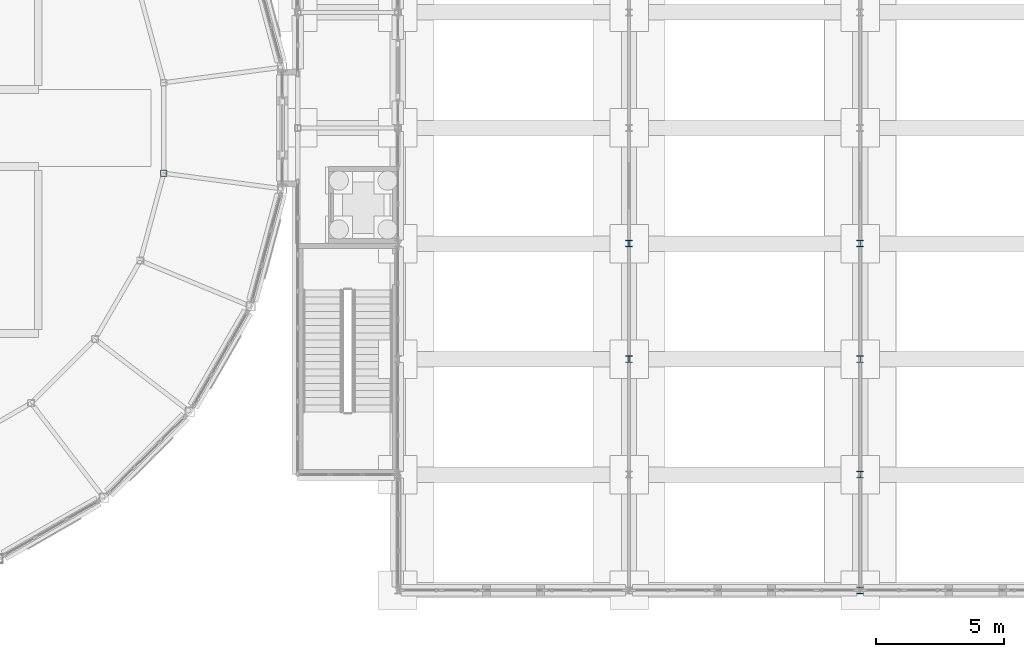
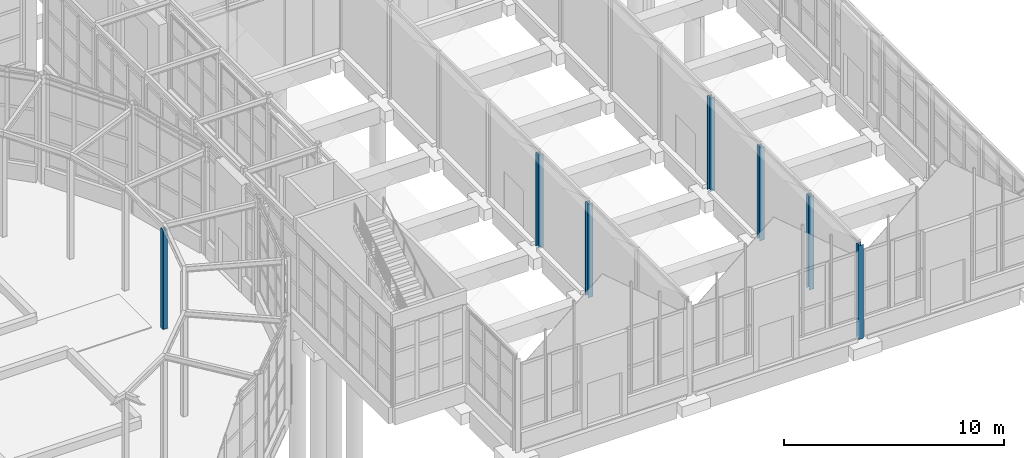
# One storey, part 16 of 106: 7 columns.
"""IFC4 building model written with IfcOpenShell, lengths in metres."""

from ifc_helpers import new_model, si_unit, direction, frame, origin, origin_2d, place, context, subcontext, project, spatial, hollow_rectangle, i_section, extrude, material, material_profile, profile_set, type_object, element, save


model = new_model("IFC4")

# Units and contexts
model_context = context("Model", 3, precision=1e-05, world=origin(), true_north=direction((0.0, 1.0)))
body_context = subcontext(model_context, "Body", "Model", "MODEL_VIEW")
ifc_project = project(units=[si_unit("LENGTHUNIT", "METRE"), si_unit("AREAUNIT", "SQUARE_METRE"), si_unit("VOLUMEUNIT", "CUBIC_METRE"), si_unit("PLANEANGLEUNIT", "RADIAN"), si_unit("MASSUNIT", "GRAM", prefix="KILO")], contexts=[model_context])

# Site, building, storey
site_placement = place(None, origin())
site = spatial("IfcSite", under=ifc_project, at=site_placement, CompositionType="ELEMENT")
building_placement = place(site_placement, origin())
building = spatial("IfcBuilding", under=site, at=building_placement, Name="Hortulan Conservatory and Botanical Research Centre", CompositionType="ELEMENT")
storey_placement = place(building_placement, origin())
storey = spatial("IfcBuildingStorey", under=building, at=storey_placement, Name="L00", CompositionType="ELEMENT", Elevation=0.0)

# Columns
ifc_material_1 = material(Name="Steel Grade 300PLUS (AS/NZS 3679.1, 280 MPa minimum yield)", Category="steel")
ifc_material_profile_1 = material_profile(ifc_material_1, i_section(OverallWidth=0.25390625, OverallDepth=0.25390625, WebThickness=0.008544921875, FlangeThickness=0.01416015625, FilletRadius=0.013916015625, at=origin_2d()), Name="250UC72.9")
ifc_profile_set_1 = profile_set([ifc_material_profile_1], Name="Steel Grade 300PLUS (AS/NZS 3679.1, 280 MPa minimum yield)")
column_type_1 = type_object("IfcColumnType", Name="Climate House Column 250UC72.9", PredefinedType="COLUMN", material=ifc_profile_set_1)
for number, where, z_axis, x_axis, name in (
    (1, (85.5, 9.0, -0.199951171875), (0.0, 0.0, 1.0), (1.0, 0.0, 0.0), "Climate house column F2-3"),
    (2, (85.5, 13.5, -0.199951171875), (0.0, 0.0, 1.0), (1.0, 0.0, 0.0), "Climate house column F2-4"),
    (3, (94.5, 0.0, -0.199951171875), (0.0, 0.0, 1.0), (1.0, 0.0, 0.0), "Climate house column F3-1"),
    (4, (94.5, 4.5, -0.199951171875), (0.0, 0.0, 1.0), (1.0, 0.0, 0.0), "Climate house column F3-2"),
    (5, (94.5, 9.0, -0.199951171875), (0.0, 0.0, 1.0), (1.0, 0.0, 0.0), "Climate house column F3-3"),
    (6, (94.5, 13.5, -0.199951171875), (0.0, 0.0, 1.0), (1.0, 0.0, 0.0), "Climate house column F3-4"),
):
    element("IfcColumn", number, at=place(storey_placement, frame(where, z_axis=z_axis, x_axis=x_axis)), inside=storey, type_object=column_type_1, Name=name, PredefinedType="COLUMN", context=body_context, shape_type="SweptSolid", body=[
        extrude(i_section(OverallWidth=0.25390625, OverallDepth=0.25390625, WebThickness=0.008544921875, FlangeThickness=0.01416015625, FilletRadius=0.013916015625, at=origin_2d()), origin(), (0.0, 0.0, 1.0), 5.199951171875),
    ])
ifc_material_2 = material(Name="Steel Grade C450L0 (450 MPa, AS/NZS 1163)", Category="steel")
ifc_material_profile_2 = material_profile(ifc_material_2, hollow_rectangle(XDim=0.25, YDim=0.25, WallThickness=0.009033203125, InnerFilletRadius=0.013427734375, OuterFilletRadius=0.0224609375, at=origin_2d()), Name="250x250x9SHS")
ifc_profile_set_2 = profile_set([ifc_material_profile_2], Name="Steel Grade C450L0 (450 MPa, AS/NZS 1163)")
column_type_2 = type_object("IfcColumnType", Name="Dome Walk Support Column 250x250x9 SHS", PredefinedType="COLUMN", material=ifc_profile_set_2)
column_placement = place(storey_placement, frame((67.384521484375, 16.23779296875, 0.0), z_axis=(0.0, 0.0, 1.0), x_axis=(1.0, 0.0, 0.0)))
element("IfcColumn", 7, at=column_placement, inside=storey, type_object=column_type_2, Name="Dome walk support 24 L00", PredefinedType="COLUMN", context=body_context, shape_type="SweptSolid", body=[
    extrude(hollow_rectangle(XDim=0.25, YDim=0.25, WallThickness=0.009033203125, InnerFilletRadius=0.013427734375, OuterFilletRadius=0.0224609375, at=origin_2d()), origin(), (0.0, 0.0, 1.0), 5.492919921875),
])

save(model, "model.ifc")
